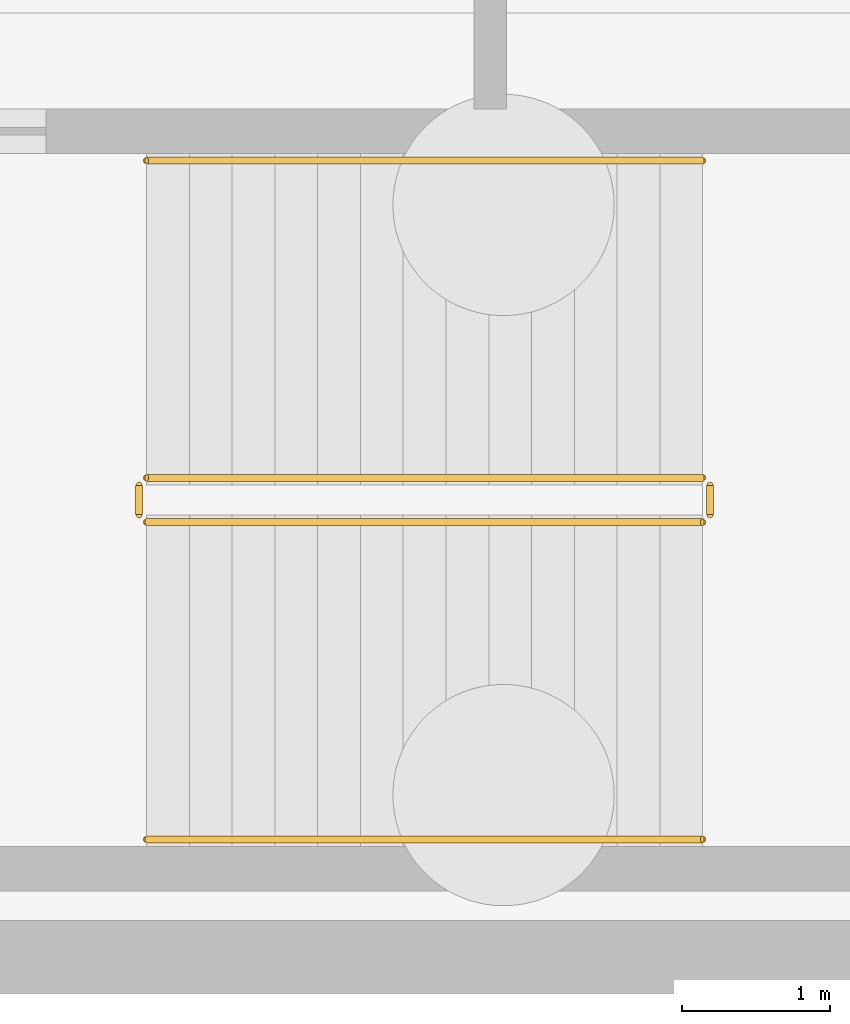
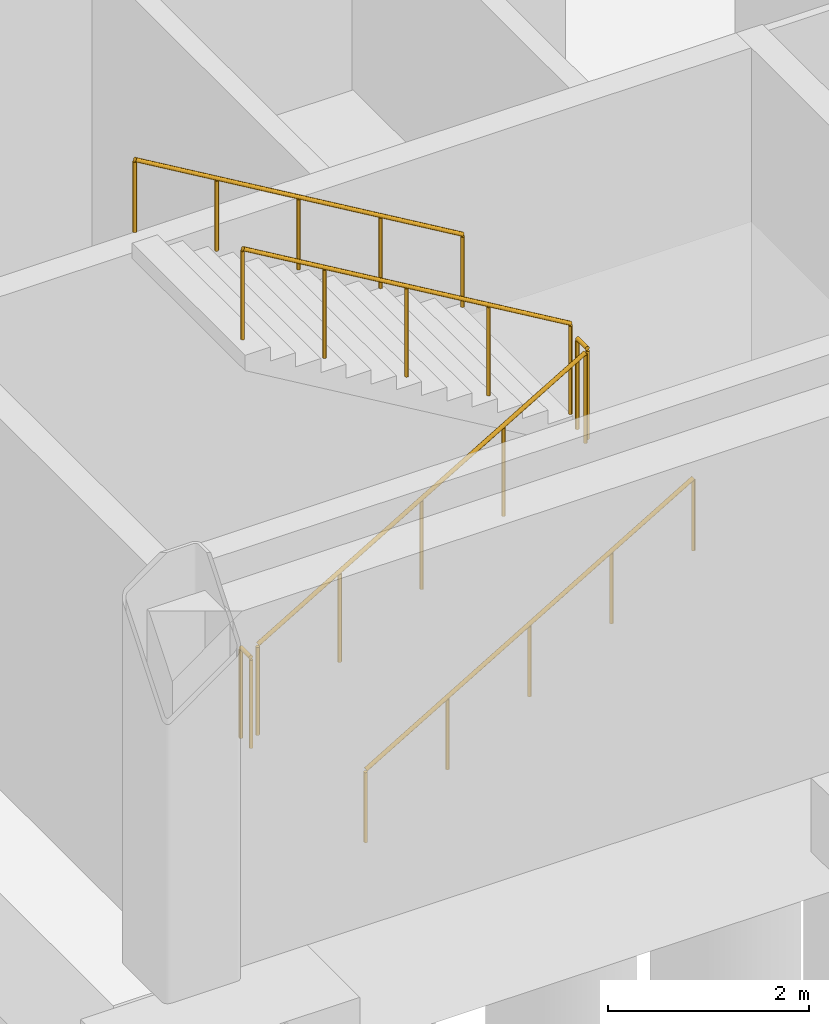
# One storey, part 30 of 34: 6 railings.
"""IFC4 building model written with IfcOpenShell, lengths in metres."""

from ifc_helpers import new_model, si_unit, direction, frame, origin, origin_2d, place, context, subcontext, project, spatial, circle, extrude, material, type_object, element, save


model = new_model("IFC4")

# Units and contexts
model_context = context("Model", 3, precision=1e-05, world=origin(), true_north=direction((0.0, 1.0)))
body_context = subcontext(model_context, "Body", "Model", "MODEL_VIEW")
ifc_project = project(units=[si_unit("LENGTHUNIT", "METRE"), si_unit("AREAUNIT", "SQUARE_METRE"), si_unit("VOLUMEUNIT", "CUBIC_METRE"), si_unit("PLANEANGLEUNIT", "RADIAN"), si_unit("MASSUNIT", "GRAM", prefix="KILO")], contexts=[model_context])

# Site, building, storey
site_placement = place(None, origin())
site = spatial("IfcSite", under=ifc_project, at=site_placement, CompositionType="ELEMENT")
building_placement = place(site_placement, origin())
building = spatial("IfcBuilding", under=site, at=building_placement, Name="Larkvane Passage Sports Hall", CompositionType="ELEMENT")
storey_placement = place(building_placement, frame((0.0, 0.0, -4.800048828125)))
storey = spatial("IfcBuildingStorey", under=building, at=storey_placement, Name="B01", CompositionType="ELEMENT", Elevation=-4.800048828125)

# Railings
ifc_material_1 = material(Name="Steel S355JR", Category="steel")
railing_type_1 = type_object("IfcRailingType", Name="RL-GUARD-1120", PredefinedType="GUARDRAIL", material=ifc_material_1)
railing_1_placement = place(storey_placement, frame((37.3798828125, 25.75, 0.17138671875)))
element("IfcRailing", 1, at=railing_1_placement, inside=storey, type_object=railing_type_1, Name="B01 ST-01 stair guard 1", PredefinedType="GUARDRAIL", context=body_context, shape_type="SweptSolid", body=[
    extrude(circle(Radius=0.02392578125, at=origin_2d()), frame((0.001708984375, 0.0, 1.09716796875), z_axis=(0.860824410104, 0.0, 0.508902087802), x_axis=(0.0, 1.0, 0.0)), (0.0, 0.0, 1.0), 4.37548828125),
    extrude(circle(Radius=0.02099609375, at=origin_2d()), origin(), (0.0, 0.0, 1.0), 1.072021484375),
    extrude(circle(Radius=0.02099609375, at=origin_2d()), frame((0.9423828125, 0.0, 0.55712890625)), (0.0, 0.0, 1.0), 1.072021484375),
    extrude(circle(Radius=0.02099609375, at=origin_2d()), frame((1.885009765625, 0.0, 1.1142578125)), (0.0, 0.0, 1.0), 1.072021484375),
    extrude(circle(Radius=0.02099609375, at=origin_2d()), frame((2.82763671875, 0.0, 1.671630859375)), (0.0, 0.0, 1.0), 1.072021484375),
    extrude(circle(Radius=0.02099609375, at=origin_2d()), frame((3.77001953125, 0.0, 2.228759765625)), (0.0, 0.0, 1.0), 1.072021484375),
])
railing_2_placement = place(storey_placement, frame((41.199951171875, 25.800048828125, 2.400146484375)))
element("IfcRailing", 2, at=railing_2_placement, inside=storey, type_object=railing_type_1, Name="B01 ST-01 stair guard 2", PredefinedType="GUARDRAIL", context=body_context, shape_type="SweptSolid", body=[
    extrude(circle(Radius=0.02392578125, at=origin_2d()), frame((0.0, 0.001953125, 1.09619140625), z_axis=(0.0, 1.0, 0.0), x_axis=(-1.0, 0.0, 0.0)), (0.0, 0.0, 1.0), 0.196044921875),
    extrude(circle(Radius=0.02099609375, at=origin_2d()), origin(), (0.0, 0.0, 1.0), 1.072021484375),
    extrude(circle(Radius=0.02099609375, at=origin_2d()), frame((0.0, 0.199951171875, 0.0)), (0.0, 0.0, 1.0), 1.072021484375),
])
railing_3_placement = place(storey_placement, frame((41.14990234375, 26.050048828125, 2.571533203125)))
element("IfcRailing", 3, at=railing_3_placement, inside=storey, type_object=railing_type_1, Name="B01 ST-01 stair guard 3", PredefinedType="GUARDRAIL", context=body_context, shape_type="SweptSolid", body=[
    extrude(circle(Radius=0.02392578125, at=origin_2d()), frame((-0.001708984375, 0.0, 1.09716796875), z_axis=(-0.860848830602, 0.0, 0.508860777473), x_axis=(0.0, -1.0, 0.0)), (0.0, 0.0, 1.0), 4.37548828125),
    extrude(circle(Radius=0.02099609375, at=origin_2d()), origin(), (0.0, 0.0, 1.0), 1.072021484375),
    extrude(circle(Radius=0.02099609375, at=origin_2d()), frame((-0.9423828125, 0.0, 0.55712890625)), (0.0, 0.0, 1.0), 1.072021484375),
    extrude(circle(Radius=0.02099609375, at=origin_2d()), frame((-1.885009765625, 0.0, 1.1142578125)), (0.0, 0.0, 1.0), 1.072021484375),
    extrude(circle(Radius=0.02099609375, at=origin_2d()), frame((-2.82763671875, 0.0, 1.67138671875)), (0.0, 0.0, 1.0), 1.072021484375),
    extrude(circle(Radius=0.02099609375, at=origin_2d()), frame((-3.77001953125, 0.0, 2.228515625)), (0.0, 0.0, 1.0), 1.072021484375),
])
railing_4_placement = place(storey_placement, frame((37.330078125, 25.800048828125, 0.0)))
element("IfcRailing", 4, at=railing_4_placement, inside=storey, type_object=railing_type_1, Name="B01 ST-01 stair guard 4", PredefinedType="GUARDRAIL", context=body_context, shape_type="SweptSolid", body=[
    extrude(circle(Radius=0.02392578125, at=origin_2d()), frame((0.0, 0.001953125, 1.09619140625), z_axis=(0.0, 1.0, 0.0), x_axis=(-1.0, 0.0, 0.0)), (0.0, 0.0, 1.0), 0.196044921875),
    extrude(circle(Radius=0.02099609375, at=origin_2d()), origin(), (0.0, 0.0, 1.0), 1.072021484375),
    extrude(circle(Radius=0.02099609375, at=origin_2d()), frame((0.0, 0.199951171875, 0.0)), (0.0, 0.0, 1.0), 1.072021484375),
])
ifc_material_2 = material(Name="Stainless steel S355JR", Category="steel")
railing_type_2 = type_object("IfcRailingType", Name="RL-HAND-920", PredefinedType="HANDRAIL", material=ifc_material_2)
railing_5_placement = place(storey_placement, frame((37.3798828125, 23.60009765625, 0.17138671875)))
element("IfcRailing", 5, at=railing_5_placement, inside=storey, type_object=railing_type_2, Name="B01 ST-01 stair handrail 1", PredefinedType="HANDRAIL", context=body_context, shape_type="SweptSolid", body=[
    extrude(circle(Radius=0.02392578125, at=origin_2d()), frame((0.001708984375, 0.0, 0.876953125), z_axis=(0.860824410104, 0.0, 0.508902087802), x_axis=(0.0, 1.0, 0.0)), (0.0, 0.0, 1.0), 4.37548828125),
    extrude(circle(Radius=0.02099609375, at=origin_2d()), origin(), (0.0, 0.0, 1.0), 0.851806640625),
    extrude(circle(Radius=0.02099609375, at=origin_2d()), frame((0.9423828125, 0.0, 0.55712890625)), (0.0, 0.0, 1.0), 0.851806640625),
    extrude(circle(Radius=0.02099609375, at=origin_2d()), frame((1.885009765625, 0.0, 1.1142578125)), (0.0, 0.0, 1.0), 0.851806640625),
    extrude(circle(Radius=0.02099609375, at=origin_2d()), frame((2.82763671875, 0.0, 1.671630859375)), (0.0, 0.0, 1.0), 0.851806640625),
    extrude(circle(Radius=0.02099609375, at=origin_2d()), frame((3.77001953125, 0.0, 2.228759765625)), (0.0, 0.0, 1.0), 0.851806640625),
])
railing_6_placement = place(storey_placement, frame((41.14990234375, 28.199951171875, 2.571533203125)))
element("IfcRailing", 6, at=railing_6_placement, inside=storey, type_object=railing_type_2, Name="B01 ST-01 stair handrail 2", PredefinedType="HANDRAIL", context=body_context, shape_type="SweptSolid", body=[
    extrude(circle(Radius=0.02392578125, at=origin_2d()), frame((-0.001708984375, 0.0, 0.876953125), z_axis=(-0.860848830602, 0.0, 0.508860777473), x_axis=(0.0, -1.0, 0.0)), (0.0, 0.0, 1.0), 4.37548828125),
    extrude(circle(Radius=0.02099609375, at=origin_2d()), origin(), (0.0, 0.0, 1.0), 0.851806640625),
    extrude(circle(Radius=0.02099609375, at=origin_2d()), frame((-0.9423828125, 0.0, 0.55712890625)), (0.0, 0.0, 1.0), 0.851806640625),
    extrude(circle(Radius=0.02099609375, at=origin_2d()), frame((-1.885009765625, 0.0, 1.1142578125)), (0.0, 0.0, 1.0), 0.851806640625),
    extrude(circle(Radius=0.02099609375, at=origin_2d()), frame((-2.82763671875, 0.0, 1.67138671875)), (0.0, 0.0, 1.0), 0.851806640625),
    extrude(circle(Radius=0.02099609375, at=origin_2d()), frame((-3.77001953125, 0.0, 2.228515625)), (0.0, 0.0, 1.0), 0.851806640625),
])

save(model, "model.ifc")
